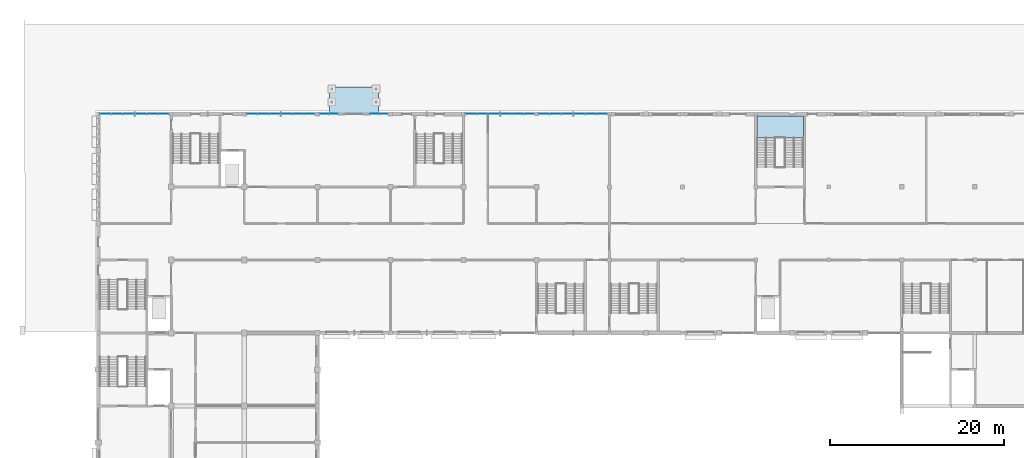
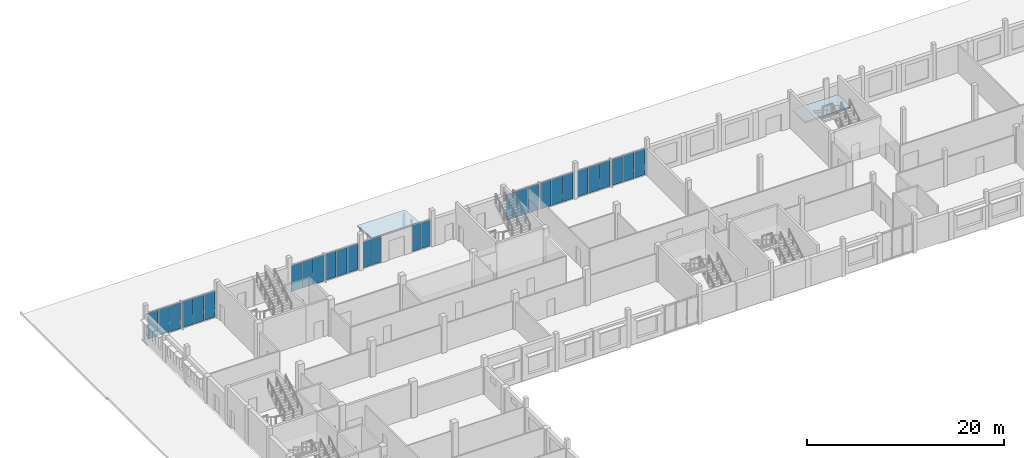
# One storey, part 68 of 101: 28 plates, 2 slabs, 11 elements without a shape of their own.
"""IFC4 building model written with IfcOpenShell, lengths in metres."""

from ifc_helpers import new_model, si_unit, direction, frame, origin, origin_2d, place, context, subcontext, project, spatial, polyline, rectangle, outline, extrude, material, layer, layer_set, type_object, element, aggregate, save


model = new_model("IFC4")

# Units and contexts
model_context = context("Model", 3, precision=1e-05, world=origin(), true_north=direction((0.0, 1.0)))
body_context = subcontext(model_context, "Body", "Model", "MODEL_VIEW")
ifc_project = project(units=[si_unit("LENGTHUNIT", "METRE"), si_unit("AREAUNIT", "SQUARE_METRE"), si_unit("VOLUMEUNIT", "CUBIC_METRE"), si_unit("PLANEANGLEUNIT", "RADIAN"), si_unit("MASSUNIT", "GRAM", prefix="KILO")], contexts=[model_context])

# Site, building, storey
site_placement = place(None, origin())
site = spatial("IfcSite", under=ifc_project, at=site_placement, CompositionType="ELEMENT")
building_placement = place(site_placement, origin())
building = spatial("IfcBuilding", under=site, at=building_placement, Name="Fescue Hill Polytechnic", CompositionType="ELEMENT")
storey_placement = place(building_placement, frame((0.0, 0.0, 9.0)))
storey = spatial("IfcBuildingStorey", under=building, at=storey_placement, Name="L02", CompositionType="ELEMENT", Elevation=9.0)

# Slab
ifc_material_1 = material(Name="Concrete 35 MPa", Category="concrete")
ifc_layer_1 = layer(ifc_material_1, 0.199951171875)
ifc_layer_set_1 = layer_set([ifc_layer_1], Name="Concrete 35 MPa")
slab_type_1 = type_object("IfcSlabType", Name="Entrance canopy slab 200", PredefinedType="ROOF", material=ifc_layer_set_1)
slab_1_placement = place(storey_placement, frame((32.199951171875, 134.510009765625, 3.300048828125), z_axis=(0.0, 0.083045479854, 0.996545758245), x_axis=(-1.0, 0.0, 0.0)))
element("IfcSlab", 1, at=slab_1_placement, inside=storey, type_object=slab_type_1, Name="Entrance canopy V5", PredefinedType="ROOF", context=body_context, shape_type="SweptSolid", body=[
    extrude(outline(polyline([(0.0, 0.0), (5.599853515625, 0.0), (5.599853515625, -3.0103986446980735), (0.0, -3.0103986446980735), (0.0, 0.0)])), origin(), (0.0, 0.0, -1.0), 0.199951171875),
])

# Curtain wall, plates
ifc_material_2 = material(Name="Glass", Category="glass")
curtain_wall_type = type_object("IfcCurtainWallType", Name="Curtain wall structural glazing", PredefinedType="NOTDEFINED", material=ifc_material_2)
curtain_wall_1_placement = place(storey_placement, origin())
curtain_wall_1 = element("IfcCurtainWall", 2, at=curtain_wall_1_placement, inside=storey, type_object=curtain_wall_type, Name="CW-L02-V5-1", PredefinedType="NOTDEFINED")
ifc_layer_2 = layer(ifc_material_2, 0.028076171875)
ifc_layer_set_2 = layer_set([ifc_layer_2], Name="Glass")
plate_type = type_object("IfcPlateType", Name="Panel glazing 28", PredefinedType="CURTAIN_PANEL", material=ifc_layer_set_2)
plate_1_placement = place(storey_placement, frame((57.92822265625, 134.39990234375, 0.06005859375), z_axis=(0.0, 0.0, 1.0), x_axis=(-1.0, 0.0, 0.0)))
plate_1 = element("IfcPlate", 3, at=plate_1_placement, type_object=plate_type, Name="CW62 panel 1.1", PredefinedType="CURTAIN_PANEL", context=body_context, shape_type="SweptSolid", body=[
    extrude(rectangle(XDim=1.223388671875, YDim=0.028076171875, at=origin_2d()), origin(), (0.0, 0.0, 1.0), 3.2099609375),
])
plate_2_placement = place(storey_placement, frame((56.6298828125, 134.39990234375, 0.06005859375), z_axis=(0.0, 0.0, 1.0), x_axis=(-1.0, 0.0, 0.0)))
plate_2 = element("IfcPlate", 4, at=plate_2_placement, type_object=plate_type, Name="CW62 panel 2.1", PredefinedType="CURTAIN_PANEL", context=body_context, shape_type="SweptSolid", body=[
    extrude(rectangle(XDim=1.25341796875, YDim=0.028076171875, at=origin_2d()), origin(), (0.0, 0.0, 1.0), 3.2099609375),
])
plate_3_placement = place(storey_placement, frame((55.331787109375, 134.39990234375, 0.06005859375), z_axis=(0.0, 0.0, 1.0), x_axis=(-1.0, 0.0, 0.0)))
plate_3 = element("IfcPlate", 5, at=plate_3_placement, type_object=plate_type, Name="CW62 panel 3.1", PredefinedType="CURTAIN_PANEL", context=body_context, shape_type="SweptSolid", body=[
    extrude(rectangle(XDim=1.223388671875, YDim=0.028076171875, at=origin_2d()), origin(), (0.0, 0.0, 1.0), 3.2099609375),
])
aggregate(curtain_wall_1, [plate_1, plate_2, plate_3])

curtain_wall_2_placement = place(storey_placement, origin())
curtain_wall_2 = element("IfcCurtainWall", 6, at=curtain_wall_2_placement, inside=storey, type_object=curtain_wall_type, Name="CW-L02-V5-2", PredefinedType="NOTDEFINED")
plate_4_placement = place(storey_placement, frame((53.868408203125, 134.39990234375, 0.06005859375), z_axis=(0.0, 0.0, 1.0), x_axis=(-1.0, 0.0, 0.0)))
plate_4 = element("IfcPlate", 7, at=plate_4_placement, type_object=plate_type, Name="CW63 panel 1.1", PredefinedType="CURTAIN_PANEL", context=body_context, shape_type="SweptSolid", body=[
    extrude(rectangle(XDim=1.223388671875, YDim=0.028076171875, at=origin_2d()), origin(), (0.0, 0.0, 1.0), 3.2099609375),
])
plate_5_placement = place(storey_placement, frame((52.570068359375, 134.39990234375, 0.06005859375), z_axis=(0.0, 0.0, 1.0), x_axis=(-1.0, 0.0, 0.0)))
plate_5 = element("IfcPlate", 8, at=plate_5_placement, type_object=plate_type, Name="CW63 panel 2.1", PredefinedType="CURTAIN_PANEL", context=body_context, shape_type="SweptSolid", body=[
    extrude(rectangle(XDim=1.25341796875, YDim=0.028076171875, at=origin_2d()), origin(), (0.0, 0.0, 1.0), 3.2099609375),
])
plate_6_placement = place(storey_placement, frame((51.271728515625, 134.39990234375, 0.06005859375), z_axis=(0.0, 0.0, 1.0), x_axis=(-1.0, 0.0, 0.0)))
plate_6 = element("IfcPlate", 9, at=plate_6_placement, type_object=plate_type, Name="CW63 panel 3.1", PredefinedType="CURTAIN_PANEL", context=body_context, shape_type="SweptSolid", body=[
    extrude(rectangle(XDim=1.223388671875, YDim=0.028076171875, at=origin_2d()), origin(), (0.0, 0.0, 1.0), 3.2099609375),
])
aggregate(curtain_wall_2, [plate_4, plate_5, plate_6])

curtain_wall_3_placement = place(storey_placement, origin())
curtain_wall_3 = element("IfcCurtainWall", 10, at=curtain_wall_3_placement, inside=storey, type_object=curtain_wall_type, Name="CW-L02-V5-3", PredefinedType="NOTDEFINED")
plate_7_placement = place(storey_placement, frame((49.530517578125, 134.39990234375, 0.06005859375), z_axis=(0.0, 0.0, 1.0), x_axis=(-1.0, 0.0, 0.0)))
plate_7 = element("IfcPlate", 11, at=plate_7_placement, type_object=plate_type, Name="CW64 panel 1.1", PredefinedType="CURTAIN_PANEL", context=body_context, shape_type="SweptSolid", body=[
    extrude(rectangle(XDim=1.21923828125, YDim=0.028076171875, at=origin_2d()), origin(), (0.0, 0.0, 1.0), 3.2099609375),
])
plate_8_placement = place(storey_placement, frame((48.236328125, 134.39990234375, 0.06005859375), z_axis=(0.0, 0.0, 1.0), x_axis=(-1.0, 0.0, 0.0)))
plate_8 = element("IfcPlate", 12, at=plate_8_placement, type_object=plate_type, Name="CW64 panel 2.1", PredefinedType="CURTAIN_PANEL", context=body_context, shape_type="SweptSolid", body=[
    extrude(rectangle(XDim=1.249267578125, YDim=0.028076171875, at=origin_2d()), origin(), (0.0, 0.0, 1.0), 3.2099609375),
])
plate_9_placement = place(storey_placement, frame((46.942138671875, 134.39990234375, 0.06005859375), z_axis=(0.0, 0.0, 1.0), x_axis=(-1.0, 0.0, 0.0)))
plate_9 = element("IfcPlate", 13, at=plate_9_placement, type_object=plate_type, Name="CW64 panel 3.1", PredefinedType="CURTAIN_PANEL", context=body_context, shape_type="SweptSolid", body=[
    extrude(rectangle(XDim=1.21923828125, YDim=0.028076171875, at=origin_2d()), origin(), (0.0, 0.0, 1.0), 3.2099609375),
])
aggregate(curtain_wall_3, [plate_7, plate_8, plate_9])

curtain_wall_4_placement = place(storey_placement, origin())
curtain_wall_4 = element("IfcCurtainWall", 14, at=curtain_wall_4_placement, inside=storey, type_object=curtain_wall_type, Name="CW-L02-V5-4", PredefinedType="NOTDEFINED")
plate_10_placement = place(storey_placement, frame((32.816162109375, 134.39990234375, 0.06005859375), z_axis=(0.0, 0.0, 1.0), x_axis=(-1.0, 0.0, 0.0)))
plate_10 = element("IfcPlate", 15, at=plate_10_placement, type_object=plate_type, Name="CW65 panel 1.1", PredefinedType="CURTAIN_PANEL", context=body_context, shape_type="SweptSolid", body=[
    extrude(rectangle(XDim=0.99755859375, YDim=0.028076171875, at=origin_2d()), origin(), (0.0, 0.0, 1.0), 3.2099609375),
])
plate_11_placement = place(storey_placement, frame((31.7587890625, 134.39990234375, 0.06005859375), z_axis=(0.0, 0.0, 1.0), x_axis=(-1.0, 0.0, 0.0)))
plate_11 = element("IfcPlate", 16, at=plate_11_placement, type_object=plate_type, Name="CW65 panel 2.1", PredefinedType="CURTAIN_PANEL", context=body_context, shape_type="SweptSolid", body=[
    extrude(rectangle(XDim=0.99755859375, YDim=0.028076171875, at=origin_2d()), origin(), (0.0, 0.0, 1.0), 3.2099609375),
])
aggregate(curtain_wall_4, [plate_10, plate_11])

curtain_wall_5_placement = place(storey_placement, origin())
curtain_wall_5 = element("IfcCurtainWall", 17, at=curtain_wall_5_placement, inside=storey, type_object=curtain_wall_type, Name="CW-L02-V5-5", PredefinedType="NOTDEFINED")
plate_12_placement = place(storey_placement, frame((27.041259765625, 134.39990234375, 0.06005859375), z_axis=(0.0, 0.0, 1.0), x_axis=(-1.0, 0.0, 0.0)))
plate_12 = element("IfcPlate", 18, at=plate_12_placement, type_object=plate_type, Name="CW66 panel 1.1", PredefinedType="CURTAIN_PANEL", context=body_context, shape_type="SweptSolid", body=[
    extrude(rectangle(XDim=0.99755859375, YDim=0.028076171875, at=origin_2d()), origin(), (0.0, 0.0, 1.0), 3.2099609375),
])
plate_13_placement = place(storey_placement, frame((25.983642578125, 134.39990234375, 0.06005859375), z_axis=(0.0, 0.0, 1.0), x_axis=(-1.0, 0.0, 0.0)))
plate_13 = element("IfcPlate", 19, at=plate_13_placement, type_object=plate_type, Name="CW66 panel 2.1", PredefinedType="CURTAIN_PANEL", context=body_context, shape_type="SweptSolid", body=[
    extrude(rectangle(XDim=0.99755859375, YDim=0.028076171875, at=origin_2d()), origin(), (0.0, 0.0, 1.0), 3.2099609375),
])
aggregate(curtain_wall_5, [plate_12, plate_13])

curtain_wall_6_placement = place(storey_placement, origin())
curtain_wall_6 = element("IfcCurtainWall", 20, at=curtain_wall_6_placement, inside=storey, type_object=curtain_wall_type, Name="CW-L02-V5-6", PredefinedType="NOTDEFINED")
plate_14_placement = place(storey_placement, frame((24.3076171875, 134.39990234375, 0.06005859375), z_axis=(0.0, 0.0, 1.0), x_axis=(-1.0, 0.0, 0.0)))
plate_14 = element("IfcPlate", 21, at=plate_14_placement, type_object=plate_type, Name="CW67 panel 1.1", PredefinedType="CURTAIN_PANEL", context=body_context, shape_type="SweptSolid", body=[
    extrude(rectangle(XDim=1.215087890625, YDim=0.028076171875, at=origin_2d()), origin(), (0.0, 0.0, 1.0), 3.2099609375),
])
plate_15_placement = place(storey_placement, frame((23.017578125, 134.39990234375, 0.06005859375), z_axis=(0.0, 0.0, 1.0), x_axis=(-1.0, 0.0, 0.0)))
plate_15 = element("IfcPlate", 22, at=plate_15_placement, type_object=plate_type, Name="CW67 panel 2.1", PredefinedType="CURTAIN_PANEL", context=body_context, shape_type="SweptSolid", body=[
    extrude(rectangle(XDim=1.2451171875, YDim=0.028076171875, at=origin_2d()), origin(), (0.0, 0.0, 1.0), 3.2099609375),
])
plate_16_placement = place(storey_placement, frame((21.7275390625, 134.39990234375, 0.06005859375), z_axis=(0.0, 0.0, 1.0), x_axis=(-1.0, 0.0, 0.0)))
plate_16 = element("IfcPlate", 23, at=plate_16_placement, type_object=plate_type, Name="CW67 panel 3.1", PredefinedType="CURTAIN_PANEL", context=body_context, shape_type="SweptSolid", body=[
    extrude(rectangle(XDim=1.215087890625, YDim=0.028076171875, at=origin_2d()), origin(), (0.0, 0.0, 1.0), 3.2099609375),
])
aggregate(curtain_wall_6, [plate_14, plate_15, plate_16])

curtain_wall_7_placement = place(storey_placement, origin())
curtain_wall_7 = element("IfcCurtainWall", 24, at=curtain_wall_7_placement, inside=storey, type_object=curtain_wall_type, Name="CW-L02-V5-7", PredefinedType="NOTDEFINED")
plate_17_placement = place(storey_placement, frame((20.2724609375, 134.39990234375, 0.06005859375), z_axis=(0.0, 0.0, 1.0), x_axis=(-1.0, 0.0, 0.0)))
plate_17 = element("IfcPlate", 25, at=plate_17_placement, type_object=plate_type, Name="CW68 panel 1.1", PredefinedType="CURTAIN_PANEL", context=body_context, shape_type="SweptSolid", body=[
    extrude(rectangle(XDim=1.215087890625, YDim=0.028076171875, at=origin_2d()), origin(), (0.0, 0.0, 1.0), 3.2099609375),
])
plate_18_placement = place(storey_placement, frame((18.982421875, 134.39990234375, 0.06005859375), z_axis=(0.0, 0.0, 1.0), x_axis=(-1.0, 0.0, 0.0)))
plate_18 = element("IfcPlate", 26, at=plate_18_placement, type_object=plate_type, Name="CW68 panel 2.1", PredefinedType="CURTAIN_PANEL", context=body_context, shape_type="SweptSolid", body=[
    extrude(rectangle(XDim=1.2451171875, YDim=0.028076171875, at=origin_2d()), origin(), (0.0, 0.0, 1.0), 3.2099609375),
])
plate_19_placement = place(storey_placement, frame((17.6923828125, 134.39990234375, 0.06005859375), z_axis=(0.0, 0.0, 1.0), x_axis=(-1.0, 0.0, 0.0)))
plate_19 = element("IfcPlate", 27, at=plate_19_placement, type_object=plate_type, Name="CW68 panel 3.1", PredefinedType="CURTAIN_PANEL", context=body_context, shape_type="SweptSolid", body=[
    extrude(rectangle(XDim=1.215087890625, YDim=0.028076171875, at=origin_2d()), origin(), (0.0, 0.0, 1.0), 3.2099609375),
])
aggregate(curtain_wall_7, [plate_17, plate_18, plate_19])

curtain_wall_8_placement = place(storey_placement, origin())
curtain_wall_8 = element("IfcCurtainWall", 28, at=curtain_wall_8_placement, inside=storey, type_object=curtain_wall_type, Name="CW-L02-V5-8", PredefinedType="NOTDEFINED")
plate_20_placement = place(storey_placement, frame((3.4580078125, 134.39990234375, 0.06005859375), z_axis=(0.0, 0.0, 1.0), x_axis=(-1.0, 0.0, 0.0)))
plate_20 = element("IfcPlate", 29, at=plate_20_placement, type_object=plate_type, Name="CW69 panel 1.1", PredefinedType="CURTAIN_PANEL", context=body_context, shape_type="SweptSolid", body=[
    extrude(rectangle(XDim=1.21923828125, YDim=0.028076171875, at=origin_2d()), origin(), (0.0, 0.0, 1.0), 3.2099609375),
])
plate_21_placement = place(storey_placement, frame((2.163818359375, 134.39990234375, 0.06005859375), z_axis=(0.0, 0.0, 1.0), x_axis=(-1.0, 0.0, 0.0)))
plate_21 = element("IfcPlate", 30, at=plate_21_placement, type_object=plate_type, Name="CW69 panel 2.1", PredefinedType="CURTAIN_PANEL", context=body_context, shape_type="SweptSolid", body=[
    extrude(rectangle(XDim=1.249267578125, YDim=0.028076171875, at=origin_2d()), origin(), (0.0, 0.0, 1.0), 3.2099609375),
])
plate_22_placement = place(storey_placement, frame((0.86962890625, 134.39990234375, 0.06005859375), z_axis=(0.0, 0.0, 1.0), x_axis=(-1.0, 0.0, 0.0)))
plate_22 = element("IfcPlate", 31, at=plate_22_placement, type_object=plate_type, Name="CW69 panel 3.1", PredefinedType="CURTAIN_PANEL", context=body_context, shape_type="SweptSolid", body=[
    extrude(rectangle(XDim=1.21923828125, YDim=0.028076171875, at=origin_2d()), origin(), (0.0, 0.0, 1.0), 3.2099609375),
])
aggregate(curtain_wall_8, [plate_20, plate_21, plate_22])

curtain_wall_9_placement = place(storey_placement, origin())
curtain_wall_9 = element("IfcCurtainWall", 32, at=curtain_wall_9_placement, inside=storey, type_object=curtain_wall_type, Name="CW-L02-V5-X1", PredefinedType="NOTDEFINED")
plate_23_placement = place(storey_placement, frame((45.48291015625, 134.39990234375, 0.06005859375), z_axis=(0.0, 0.0, 1.0), x_axis=(-1.0, 0.0, 0.0)))
plate_23 = element("IfcPlate", 33, at=plate_23_placement, type_object=plate_type, Name="CW151 panel 1.1", PredefinedType="CURTAIN_PANEL", context=body_context, shape_type="SweptSolid", body=[
    extrude(rectangle(XDim=1.21923828125, YDim=0.028076171875, at=origin_2d()), origin(), (0.0, 0.0, 1.0), 3.2099609375),
])
plate_24_placement = place(storey_placement, frame((44.188720703125, 134.39990234375, 0.06005859375), z_axis=(0.0, 0.0, 1.0), x_axis=(-1.0, 0.0, 0.0)))
plate_24 = element("IfcPlate", 34, at=plate_24_placement, type_object=plate_type, Name="CW151 panel 2.1", PredefinedType="CURTAIN_PANEL", context=body_context, shape_type="SweptSolid", body=[
    extrude(rectangle(XDim=1.249267578125, YDim=0.028076171875, at=origin_2d()), origin(), (0.0, 0.0, 1.0), 3.2099609375),
])
plate_25_placement = place(storey_placement, frame((42.89453125, 134.39990234375, 0.06005859375), z_axis=(0.0, 0.0, 1.0), x_axis=(-1.0, 0.0, 0.0)))
plate_25 = element("IfcPlate", 35, at=plate_25_placement, type_object=plate_type, Name="CW151 panel 3.1", PredefinedType="CURTAIN_PANEL", context=body_context, shape_type="SweptSolid", body=[
    extrude(rectangle(XDim=1.21923828125, YDim=0.028076171875, at=origin_2d()), origin(), (0.0, 0.0, 1.0), 3.2099609375),
])
aggregate(curtain_wall_9, [plate_23, plate_24, plate_25])

curtain_wall_10_placement = place(storey_placement, origin())
curtain_wall_10 = element("IfcCurtainWall", 36, at=curtain_wall_10_placement, inside=storey, type_object=curtain_wall_type, Name="CW-L02-V5-X2", PredefinedType="NOTDEFINED")
plate_26_placement = place(storey_placement, frame((7.50537109375, 134.39990234375, 0.06005859375), z_axis=(0.0, 0.0, 1.0), x_axis=(-1.0, 0.0, 0.0)))
plate_26 = element("IfcPlate", 37, at=plate_26_placement, type_object=plate_type, Name="CW157 panel 1.1", PredefinedType="CURTAIN_PANEL", context=body_context, shape_type="SweptSolid", body=[
    extrude(rectangle(XDim=1.21923828125, YDim=0.028076171875, at=origin_2d()), origin(), (0.0, 0.0, 1.0), 3.2099609375),
])
plate_27_placement = place(storey_placement, frame((6.211181640625, 134.39990234375, 0.06005859375), z_axis=(0.0, 0.0, 1.0), x_axis=(-1.0, 0.0, 0.0)))
plate_27 = element("IfcPlate", 38, at=plate_27_placement, type_object=plate_type, Name="CW157 panel 2.1", PredefinedType="CURTAIN_PANEL", context=body_context, shape_type="SweptSolid", body=[
    extrude(rectangle(XDim=1.249267578125, YDim=0.028076171875, at=origin_2d()), origin(), (0.0, 0.0, 1.0), 3.2099609375),
])
plate_28_placement = place(storey_placement, frame((4.9169921875, 134.39990234375, 0.06005859375), z_axis=(0.0, 0.0, 1.0), x_axis=(-1.0, 0.0, 0.0)))
plate_28 = element("IfcPlate", 39, at=plate_28_placement, type_object=plate_type, Name="CW157 panel 3.1", PredefinedType="CURTAIN_PANEL", context=body_context, shape_type="SweptSolid", body=[
    extrude(rectangle(XDim=1.21923828125, YDim=0.028076171875, at=origin_2d()), origin(), (0.0, 0.0, 1.0), 3.2099609375),
])
aggregate(curtain_wall_10, [plate_26, plate_27, plate_28])

# Stair, slab
stair_type = type_object("IfcStairType", Name="Half-turn stair 2150 flights", PredefinedType="HALF_TURN_STAIR", material=ifc_material_1)
stair_placement = place(storey_placement, origin())
stair = element("IfcStair", 40, at=stair_placement, inside=storey, type_object=stair_type, Name="L02 ST-V4b-4 stair", PredefinedType="HALF_TURN_STAIR")
ifc_layer_3 = layer(ifc_material_1, 0.199951171875)
ifc_layer_set_3 = layer_set([ifc_layer_3], Name="Concrete 35 MPa")
slab_type_2 = type_object("IfcSlabType", Name="Stair landing slab 200", PredefinedType="LANDING", material=ifc_layer_set_3)
slab_2_placement = place(storey_placement, frame((0.0, 0.0, 2.050048828125)))
slab_2 = element("IfcSlab", 41, at=slab_2_placement, type_object=slab_type_2, Name="S25 landing 1", PredefinedType="LANDING", context=body_context, shape_type="SweptSolid", body=[
    extrude(outline(polyline([(75.72509765625, 131.635009765625), (81.074951171875, 131.635009765625), (81.074951171875, 134.175048828125), (75.72509765625, 134.175048828125), (75.72509765625, 131.635009765625)])), origin(), (0.0, 0.0, 1.0), 0.199951171875),
])
aggregate(stair, [slab_2])

save(model, "model.ifc")
